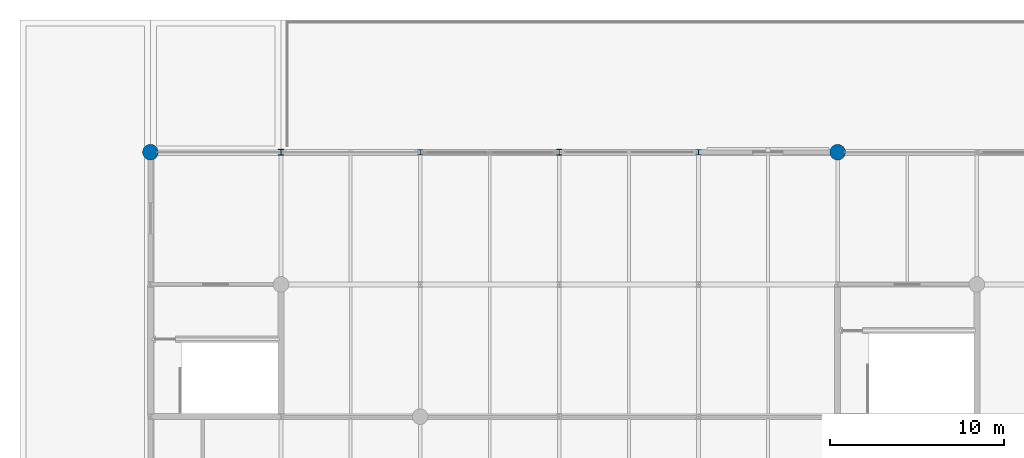
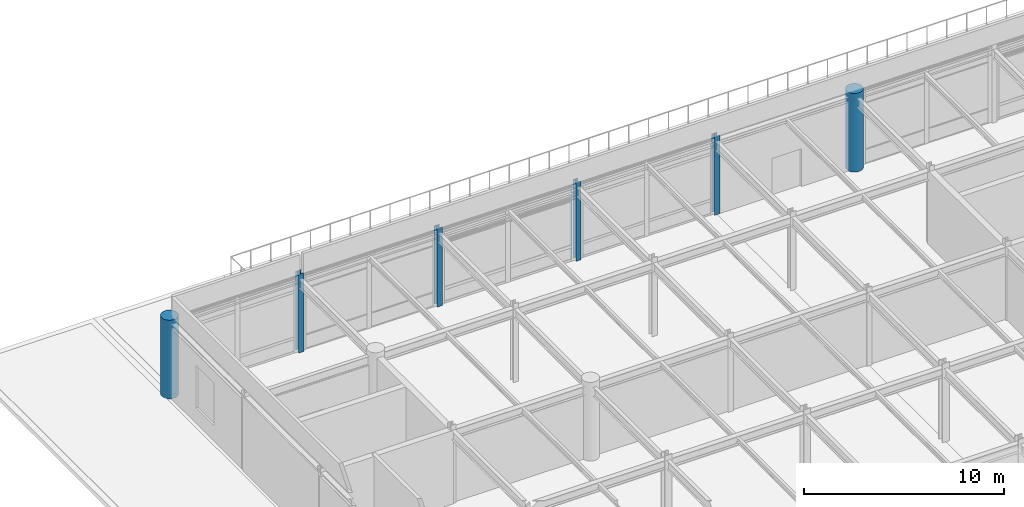
# One storey, part 9 of 43: 6 columns.
"""IFC4 building model written with IfcOpenShell, lengths in metres."""

import ifcopenshell
import ifcopenshell.guid

model = None  # the IFC model being written
_history = None  # IfcOwnerHistory: only IFC2X3 demands one
_inside = {}  # id of a spatial element -> (the spatial element, [elements in it])
_under = {}  # id of a project, library or spatial element -> (it, [spatial elements below it])
_declared = {}  # id of a project -> (the project, [libraries it declares])
_typed = {}  # id of a type object -> (the type object, [elements of that type])
_made_of = {}  # id of a material, layer set ... -> (it, [elements and type objects made of it])


def new_model(schema):
    """Start an empty IFC model of exactly this schema.

    Asked for "IFC4X3", IfcOpenShell would pick the latest addendum, in which some entities
    have other attributes; the version numbers below select the first issue.
    IFC2X3 requires an IfcOwnerHistory on every rooted entity: one is made here for all.
    """
    global model, _history
    if schema == "IFC4X3":
        model = ifcopenshell.file(schema_version=(4, 3, 0, 0))
    else:
        model = ifcopenshell.file(schema=schema)
    _inside.clear()
    _under.clear()
    _declared.clear()
    _typed.clear()
    _made_of.clear()
    _history = None
    if model.schema == "IFC2X3":
        org = make("IfcOrganization", Name="unknown")
        user = make(
            "IfcPersonAndOrganization",
            ThePerson=make("IfcPerson", FamilyName="unknown"),
            TheOrganization=org,
        )
        app = make(
            "IfcApplication",
            ApplicationDeveloper=org,
            Version="unknown",
            ApplicationFullName="unknown",
            ApplicationIdentifier="unknown",
        )
        _history = make(
            "IfcOwnerHistory",
            OwningUser=user,
            OwningApplication=app,
            ChangeAction="ADDED",
            CreationDate=0,
        )
    return model


def make(cls, **values):
    """One entity of the class cls with the attributes given. An attribute that is None is left unset."""
    return model.create_entity(
        cls, **{name: value for name, value in values.items() if value is not None}
    )


def rooted(cls, **values):
    """An entity with a GlobalId (a new one), such as an element, a storey or a relation."""
    return make(cls, GlobalId=ifcopenshell.guid.new(), OwnerHistory=_history, **values)


def si_unit(unit_type, name, prefix=None):
    """IfcSIUnit, for example si_unit("LENGTHUNIT", "METRE", prefix="MILLI")."""
    return make("IfcSIUnit", UnitType=unit_type, Prefix=prefix, Name=name)


def assignment(units):
    """IfcUnitAssignment: the units of a project."""
    return None if units is None else make("IfcUnitAssignment", Units=units)


def point(xyz):
    """IfcCartesianPoint."""
    return None if xyz is None else make("IfcCartesianPoint", Coordinates=xyz)


def direction(xyz):
    """IfcDirection."""
    return None if xyz is None else make("IfcDirection", DirectionRatios=xyz)


def frame(location, z_axis=None, x_axis=None):
    """IfcAxis2Placement3D, a coordinate frame: its origin and axes. An axis left out is left unset."""
    return make(
        "IfcAxis2Placement3D",
        Location=point(location),
        Axis=direction(z_axis),
        RefDirection=direction(x_axis),
    )


def frame_2d(location, x_axis=None):
    """IfcAxis2Placement2D, a coordinate frame in the plane: its origin and x axis."""
    return make(
        "IfcAxis2Placement2D", Location=point(location), RefDirection=direction(x_axis)
    )


def origin():
    """The frame at (0, 0, 0) with its axes left unset."""
    return frame((0.0, 0.0, 0.0))


def origin_2d():
    """The frame at (0, 0) in the plane with its x axis left unset."""
    return frame_2d((0.0, 0.0))


def place(relative_to, where):
    """IfcLocalPlacement: puts the frame where relative to a parent placement (None: the world)."""
    return make(
        "IfcLocalPlacement", PlacementRelTo=relative_to, RelativePlacement=where
    )


def context(
    kind, dimensions, precision=None, world=None, true_north=None, identifier=None
):
    """IfcGeometricRepresentationContext, for example the 3D "Model" context."""
    return make(
        "IfcGeometricRepresentationContext",
        ContextIdentifier=identifier,
        ContextType=kind,
        CoordinateSpaceDimension=dimensions,
        Precision=precision,
        WorldCoordinateSystem=world,
        TrueNorth=true_north,
    )


def subcontext(parent, identifier, kind, view, scale=None):
    """IfcGeometricRepresentationSubContext, for example "Body" below "Model"."""
    return make(
        "IfcGeometricRepresentationSubContext",
        ContextIdentifier=identifier,
        ContextType=kind,
        ParentContext=parent,
        TargetScale=scale,
        TargetView=view,
    )


def project(units=None, contexts=None):
    """IfcProject with its units and contexts."""
    return rooted(
        "IfcProject",
        Name="project",
        RepresentationContexts=contexts,
        UnitsInContext=assignment(units),
    )


def spatial(cls, under=None, at=None, **own):
    """A site, building, storey or space (cls), placed at a placement, below another one or the project."""
    s = rooted(cls, ObjectPlacement=at, **own)
    if under is not None:
        _under.setdefault(under.id(), (under, []))[1].append(s)
    return s


def profile(cls, at=None, kind="AREA", **sizes):
    """A parametric profile (cls). Its sizes go by their IFC names, for example OverallWidth=200.0."""
    return make(cls, ProfileType=kind, Position=at, **sizes)


def circle(**sizes):
    """IfcCircleProfileDef."""
    return profile("IfcCircleProfileDef", **sizes)


def i_section(**sizes):
    """IfcIShapeProfileDef."""
    return profile("IfcIShapeProfileDef", **sizes)


def extrude(swept, where, along, depth):
    """IfcExtrudedAreaSolid: the profile swept, set in the frame where, extruded along a direction by depth."""
    return make(
        "IfcExtrudedAreaSolid",
        SweptArea=swept,
        Position=where,
        ExtrudedDirection=direction(along),
        Depth=depth,
    )


def shape(context_of_items, identifier, shape_type, items):
    """IfcShapeRepresentation: the items that make up one representation, for example the "Body"."""
    return make(
        "IfcShapeRepresentation",
        ContextOfItems=context_of_items,
        RepresentationIdentifier=identifier,
        RepresentationType=shape_type,
        Items=items,
    )


def material(Name=None, Category=None):
    """IfcMaterial."""
    return make("IfcMaterial", Name=Name, Category=Category)


def material_profile(
    of_material, cross_section, Name=None, Category=None, Priority=None
):
    """IfcMaterialProfile: a cross section and its material."""
    return make(
        "IfcMaterialProfile",
        Name=Name,
        Material=of_material,
        Profile=cross_section,
        Priority=Priority,
        Category=Category,
    )


def profile_set(profiles, Name=None, composite=None):
    """IfcMaterialProfileSet."""
    return make(
        "IfcMaterialProfileSet",
        Name=Name,
        MaterialProfiles=profiles,
        CompositeProfile=composite,
    )


def made_of(thing, what):
    """Note that an element or type object is made of a material, layer set ...; save() writes the relation."""
    if what is not None:
        _made_of.setdefault(what.id(), (what, []))[1].append(thing)
    return thing


def type_object(cls, material=None, **own):
    """A type object (cls), such as IfcWallType, which elements share."""
    return made_of(rooted(cls, **own), material)


def element(
    cls,
    number,
    at=None,
    inside=None,
    cuts=None,
    type_object=None,
    material=None,
    context=None,
    identifier="Body",
    shape_type=None,
    held_by="IfcProductDefinitionShape",
    body=None,
    shapes=None,
    **own,
):
    """One element of the class cls, such as IfcWall. Its Tag is "e" and its number.

    at: its placement. inside: the storey or other place that contains it. cuts: it is an
    opening in that element (IfcRelVoidsElement). A single representation is given by context,
    identifier, shape_type and body (its items); several are given by shapes. held_by: the class
    of the entity that holds the representations. save() writes the other relations.
    """
    e = rooted(cls, Tag="e%d" % number, ObjectPlacement=at, **own)
    if body is not None:
        shapes = [shape(context, identifier, shape_type, body)]
    if shapes is not None:
        e.Representation = make(held_by, Representations=shapes)
    if inside is not None:
        _inside.setdefault(inside.id(), (inside, []))[1].append(e)
    if cuts is not None:
        rooted(
            "IfcRelVoidsElement", RelatingBuildingElement=cuts, RelatedOpeningElement=e
        )
    if type_object is not None:
        _typed.setdefault(type_object.id(), (type_object, []))[1].append(e)
    return made_of(e, material)


def aggregate(whole, parts):
    """IfcRelAggregates: a whole, such as a stair, and the parts it consists of."""
    return rooted("IfcRelAggregates", RelatingObject=whole, RelatedObjects=parts)


def save(model, path):
    """Write the relations noted so far, then the file.

    IfcRelAggregates (storeys below a building ...), IfcRelContainedInSpatialStructure (elements
    in a storey), IfcRelDefinesByType, IfcRelAssociatesMaterial and IfcRelDeclares: one each for
    every whole, place, type object, material and project.
    """
    for whole, parts in _under.values():
        aggregate(whole, parts)
    for where, things in _inside.values():
        rooted(
            "IfcRelContainedInSpatialStructure",
            RelatedElements=things,
            RelatingStructure=where,
        )
    for kind, things in _typed.values():
        rooted("IfcRelDefinesByType", RelatedObjects=things, RelatingType=kind)
    for what, things in _made_of.values():
        rooted("IfcRelAssociatesMaterial", RelatedObjects=things, RelatingMaterial=what)
    for by, libraries in _declared.values():
        rooted("IfcRelDeclares", RelatingContext=by, RelatedDefinitions=libraries)
    model.write(path)


model = new_model("IFC4")

# Units and contexts
model_context = context("Model", 3, precision=1e-05, world=origin(), true_north=direction((0.0, 1.0)))
body_context = subcontext(model_context, "Body", "Model", "MODEL_VIEW")
ifc_project = project(units=[si_unit("LENGTHUNIT", "METRE"), si_unit("AREAUNIT", "SQUARE_METRE"), si_unit("VOLUMEUNIT", "CUBIC_METRE"), si_unit("PLANEANGLEUNIT", "RADIAN"), si_unit("MASSUNIT", "GRAM", prefix="KILO")], contexts=[model_context])

# Site, building, storey
site_placement = place(None, origin())
site = spatial("IfcSite", under=ifc_project, at=site_placement, CompositionType="ELEMENT")
building_placement = place(site_placement, origin())
building = spatial("IfcBuilding", under=site, at=building_placement, Name="Shalkamar Park Central Library", CompositionType="ELEMENT")
storey_placement = place(building_placement, frame((0.0, 0.0, 15.60009765625)))
storey = spatial("IfcBuildingStorey", under=building, at=storey_placement, Name="L04", CompositionType="ELEMENT", Elevation=15.60009765625)

# Columns
ifc_material_1 = material(Name="Concrete C40/50", Category="concrete")
ifc_material_profile_1 = material_profile(ifc_material_1, circle(Radius=0.449951171875, at=origin_2d()), Name="RC D900")
ifc_profile_set_1 = profile_set([ifc_material_profile_1], Name="Concrete C40/50")
column_type_1 = type_object("IfcColumnType", Name="Column Concrete RCD900", PredefinedType="COLUMN", material=ifc_profile_set_1)
for number, where, z_axis, x_axis, name in (
    (1, (157.5, 316.0, 0.0), (0.0, 0.0, 1.0), (1.0, 0.0, 0.0), "Column 06/L (L04)"),
    (2, (197.0, 316.0, 0.0), (0.0, 0.0, 1.0), (1.0, 0.0, 0.0), "Column 11/L (L04)"),
):
    element("IfcColumn", number, at=place(storey_placement, frame(where, z_axis=z_axis, x_axis=x_axis)), inside=storey, type_object=column_type_1, Name=name, PredefinedType="COLUMN", context=body_context, shape_type="SweptSolid", body=[
        extrude(circle(Radius=0.449951171875, at=origin_2d()), origin(), (0.0, 0.0, 1.0), 4.7998046875),
    ])
ifc_material_2 = material(Name="Steel S355", Category="steel")
ifc_material_profile_2 = material_profile(ifc_material_2, i_section(OverallWidth=0.300048828125, OverallDepth=0.300048828125, WebThickness=0.010986328125, FlangeThickness=0.01904296875, FilletRadius=0.027099609375, at=origin_2d()), Name="HEB 300")
ifc_profile_set_2 = profile_set([ifc_material_profile_2], Name="Steel S355")
column_type_2 = type_object("IfcColumnType", Name="Column Steel HEB300", PredefinedType="COLUMN", material=ifc_profile_set_2)
for number, where, z_axis, x_axis, name in (
    (3, (173.0, 316.0, 0.0), (0.0, 0.0, 1.0), (1.0, 0.0, 0.0), "Column 08/L (L04)"),
    (4, (189.0, 316.0, 0.0), (0.0, 0.0, 1.0), (1.0, 0.0, 0.0), "Column 10/L (L04)"),
):
    element("IfcColumn", number, at=place(storey_placement, frame(where, z_axis=z_axis, x_axis=x_axis)), inside=storey, type_object=column_type_2, Name=name, PredefinedType="COLUMN", context=body_context, shape_type="SweptSolid", body=[
        extrude(i_section(OverallWidth=0.300048828125, OverallDepth=0.300048828125, WebThickness=0.010986328125, FlangeThickness=0.01904296875, FilletRadius=0.027099609375, at=origin_2d()), origin(), (0.0, 0.0, 1.0), 4.7998046875),
    ])
ifc_material_profile_3 = material_profile(ifc_material_2, i_section(OverallWidth=0.300048828125, OverallDepth=0.320068359375, WebThickness=0.011474609375, FlangeThickness=0.0205078125, FilletRadius=0.027099609375, at=origin_2d()), Name="HEB 320")
ifc_profile_set_3 = profile_set([ifc_material_profile_3], Name="Steel S355")
column_type_3 = type_object("IfcColumnType", Name="Column Steel HEB320", PredefinedType="COLUMN", material=ifc_profile_set_3)
for number, where, z_axis, x_axis, name in (
    (5, (165.0, 316.0, 0.0), (0.0, 0.0, 1.0), (1.0, 0.0, 0.0), "Column 07/L (L04)"),
    (6, (181.0, 316.0, 0.0), (0.0, 0.0, 1.0), (1.0, 0.0, 0.0), "Column 09/L (L04)"),
):
    element("IfcColumn", number, at=place(storey_placement, frame(where, z_axis=z_axis, x_axis=x_axis)), inside=storey, type_object=column_type_3, Name=name, PredefinedType="COLUMN", context=body_context, shape_type="SweptSolid", body=[
        extrude(i_section(OverallWidth=0.300048828125, OverallDepth=0.320068359375, WebThickness=0.011474609375, FlangeThickness=0.0205078125, FilletRadius=0.027099609375, at=origin_2d()), origin(), (0.0, 0.0, 1.0), 4.7998046875),
    ])

save(model, "model.ifc")
